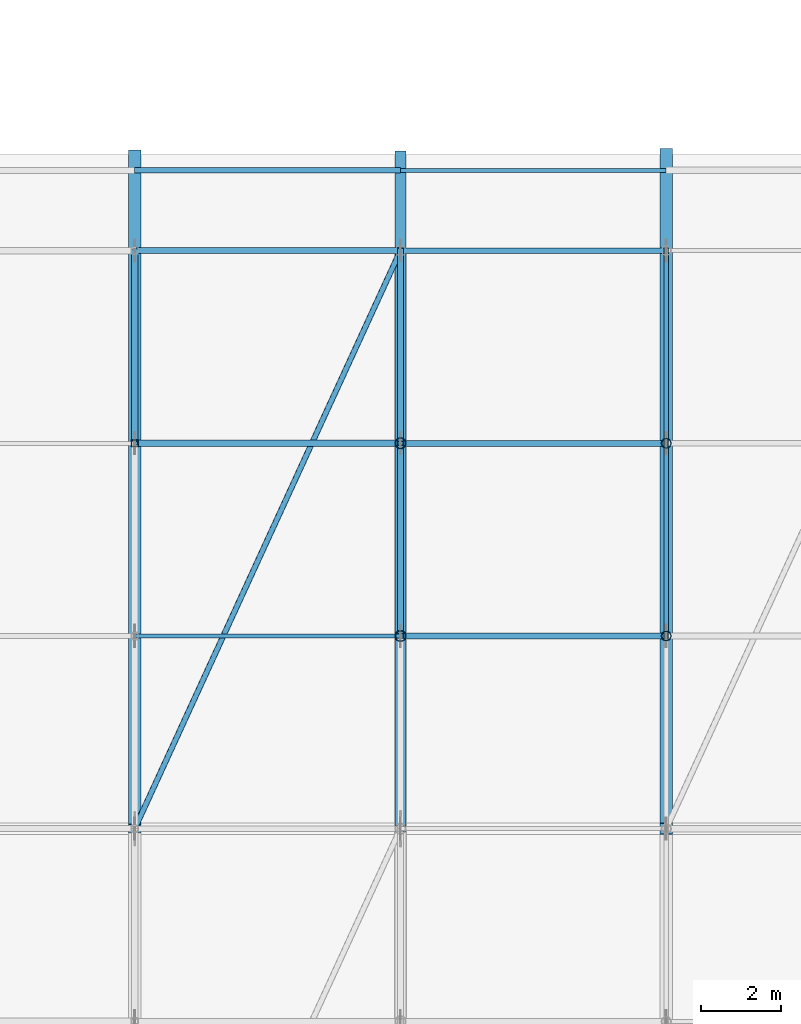
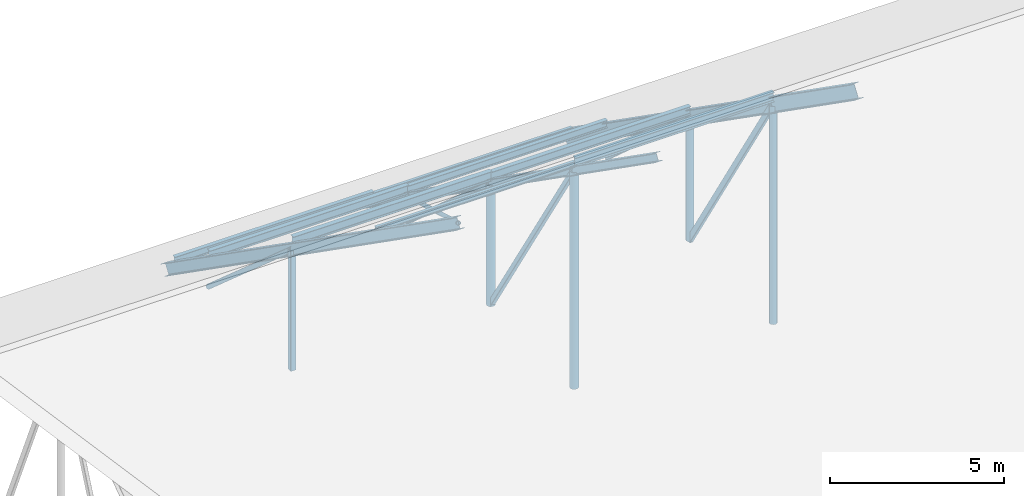
# One storey, part 64 of 134: 22 members.
"""IFC4 building model written with IfcOpenShell, lengths in metres."""

from ifc_helpers import new_model, si_unit, direction, frame, origin, origin_2d, place, context, subcontext, project, spatial, hollow_rectangle, hollow_circle, i_section, extrude, material, material_profile, profile_set, type_object, element, save


model = new_model("IFC4")

# Units and contexts
model_context = context("Model", 3, precision=1e-05, world=origin(), true_north=direction((0.0, 1.0)))
body_context = subcontext(model_context, "Body", "Model", "MODEL_VIEW")
ifc_project = project(units=[si_unit("LENGTHUNIT", "METRE"), si_unit("AREAUNIT", "SQUARE_METRE"), si_unit("VOLUMEUNIT", "CUBIC_METRE"), si_unit("PLANEANGLEUNIT", "RADIAN"), si_unit("MASSUNIT", "GRAM", prefix="KILO")], contexts=[model_context])

# Site, building, storey
site_placement = place(None, origin())
site = spatial("IfcSite", under=ifc_project, at=site_placement, CompositionType="ELEMENT")
building_placement = place(site_placement, origin())
building = spatial("IfcBuilding", under=site, at=building_placement, Name="Asteropetra Specialist Clinic", CompositionType="ELEMENT")
storey_placement = place(building_placement, frame((0.0, 0.0, 8.5)))
storey = spatial("IfcBuildingStorey", under=building, at=storey_placement, Name="L02", CompositionType="ELEMENT", Elevation=8.5)

# Members
ifc_material_1 = material(Name="Steel S355", Category="steel")
ifc_material_profile_1 = material_profile(ifc_material_1, hollow_circle(Radius=0.06982421875, WallThickness=0.008056640625, at=origin_2d()), Name="CHS 139.7x8.0")
ifc_profile_set_1 = profile_set([ifc_material_profile_1], Name="Steel S355")
member_type_1 = type_object("IfcMemberType", Name="TR-BRC-CHS139", PredefinedType="BRACE", material=ifc_profile_set_1)
member_1_placement = place(storey_placement, frame((113.3798828125, 91.199951171875, 11.4609375), z_axis=(0.352109794098, 0.765912818458, -0.53795561845), x_axis=(-0.908585056551, 0.417699886297, 0.0)))
element("IfcMember", 1, at=member_1_placement, inside=storey, type_object=member_type_1, Name="Roof Wind Brace TRV1-RB2-05", PredefinedType="BRACE", context=body_context, shape_type="SweptSolid", body=[
    extrude(hollow_circle(Radius=0.06982421875, WallThickness=0.008056640625, at=origin_2d()), origin(), (0.0, 0.0, 1.0), 18.80126953125),
])
ifc_material_2 = material(Name="Steel S355", Category="steel")
ifc_material_profile_2 = material_profile(ifc_material_2, hollow_circle(Radius=0.084228515625, WallThickness=0.008056640625, at=origin_2d()), Name="CHS 168.3x8.0")
ifc_profile_set_2 = profile_set([ifc_material_profile_2], Name="Steel S355")
member_type_2 = type_object("IfcMemberType", Name="TR-BRC-CHS168", PredefinedType="BRACE", material=ifc_profile_set_2)
member_2_placement = place(storey_placement, frame((113.3798828125, 100.800048828125, 4.718017578125), z_axis=(0.0, 0.750802143462, -0.660527169292), x_axis=(-1.0, 0.0, 0.0)))
element("IfcMember", 2, at=member_2_placement, inside=storey, type_object=member_type_2, Name="Truss Web Diagonal TRV1-D05-5", PredefinedType="BRACE", context=body_context, shape_type="SweptSolid", body=[
    extrude(hollow_circle(Radius=0.084228515625, WallThickness=0.008056640625, at=origin_2d()), origin(), (0.0, 0.0, 1.0), 6.393310546875),
])
ifc_material_3 = material(Name="Steel S355", Category="steel")
ifc_material_profile_3 = material_profile(ifc_material_3, hollow_rectangle(XDim=0.1201171875, YDim=0.199951171875, WallThickness=0.010009765625, InnerFilletRadius=0.008056640625, OuterFilletRadius=0.01611328125, at=origin_2d()), Name="RHS 200x120x10.0")
ifc_profile_set_3 = profile_set([ifc_material_profile_3], Name="Steel S355")
member_type_3 = type_object("IfcMemberType", Name="TR-BRC-RHS200", PredefinedType="BRACE", material=ifc_profile_set_3)
member_3_placement = place(storey_placement, frame((126.6201171875, 96.0, 8.089599609375), z_axis=(0.0, 0.530515462614, -0.847675258532), x_axis=(-1.0, 0.0, 0.0)))
element("IfcMember", 3, at=member_3_placement, inside=storey, type_object=member_type_3, Name="Truss Web Diagonal TRV1-D07-4", PredefinedType="BRACE", context=body_context, shape_type="SweptSolid", body=[
    extrude(hollow_rectangle(XDim=0.1201171875, YDim=0.199951171875, WallThickness=0.010009765625, InnerFilletRadius=0.008056640625, OuterFilletRadius=0.01611328125, at=origin_2d()), origin(), (0.0, 0.0, 1.0), 9.0478515625),
])
member_4_placement = place(storey_placement, frame((126.6201171875, 100.800048828125, 4.718017578125), z_axis=(0.0, 0.744985578282, -0.66708057096), x_axis=(-1.0, 0.0, 0.0)))
element("IfcMember", 4, at=member_4_placement, inside=storey, type_object=member_type_3, Name="Truss Web Diagonal TRV1-D07-5", PredefinedType="BRACE", context=body_context, shape_type="SweptSolid", body=[
    extrude(hollow_rectangle(XDim=0.1201171875, YDim=0.199951171875, WallThickness=0.010009765625, InnerFilletRadius=0.008056640625, OuterFilletRadius=0.01611328125, at=origin_2d()), origin(), (0.0, 0.0, 1.0), 6.443115234375),
])
ifc_material_4 = material(Name="Steel S355", Category="steel")
ifc_material_profile_4 = material_profile(ifc_material_4, hollow_rectangle(XDim=0.159912109375, YDim=0.159912109375, WallThickness=0.008056640625, InnerFilletRadius=0.008056640625, OuterFilletRadius=0.01611328125, at=origin_2d()), Name="SHS 160x160x8.0")
ifc_profile_set_4 = profile_set([ifc_material_profile_4], Name="Steel S355")
member_type_4 = type_object("IfcMemberType", Name="TR-BRC-SHS160", PredefinedType="BRACE", material=ifc_profile_set_4)
member_5_placement = place(storey_placement, frame((120.0, 96.0, 8.089599609375), z_axis=(0.0, 0.533012426562, -0.846107412289), x_axis=(-1.0, 0.0, 0.0)))
element("IfcMember", 5, at=member_5_placement, inside=storey, type_object=member_type_4, Name="Truss Web Diagonal TRV1-D06-4", PredefinedType="BRACE", context=body_context, shape_type="SweptSolid", body=[
    extrude(hollow_rectangle(XDim=0.159912109375, YDim=0.159912109375, WallThickness=0.008056640625, InnerFilletRadius=0.008056640625, OuterFilletRadius=0.01611328125, at=origin_2d()), origin(), (0.0, 0.0, 1.0), 9.005615234375),
])
member_6_placement = place(storey_placement, frame((120.0, 100.800048828125, 4.718017578125), z_axis=(0.0, 0.748853326805, -0.662735765546), x_axis=(-1.0, 0.0, 0.0)))
element("IfcMember", 6, at=member_6_placement, inside=storey, type_object=member_type_4, Name="Truss Web Diagonal TRV1-D06-5", PredefinedType="BRACE", context=body_context, shape_type="SweptSolid", body=[
    extrude(hollow_rectangle(XDim=0.159912109375, YDim=0.159912109375, WallThickness=0.008056640625, InnerFilletRadius=0.008056640625, OuterFilletRadius=0.01611328125, at=origin_2d()), origin(), (0.0, 0.0, 1.0), 6.409912109375),
])
ifc_material_5 = material(Name="Steel S355", Category="steel")
ifc_material_profile_5 = material_profile(ifc_material_5, i_section(OverallWidth=0.300048828125, OverallDepth=0.389892578125, WebThickness=0.010986328125, FlangeThickness=0.01904296875, FilletRadius=0.027099609375, at=origin_2d()), Name="HEA 400")
ifc_profile_set_5 = profile_set([ifc_material_profile_5], Name="Steel S355")
member_type_5 = type_object("IfcMemberType", Name="TR-CHD-HEA400", PredefinedType="CHORD", material=ifc_profile_set_5)
member_7_placement = place(storey_placement, frame((113.3798828125, 91.199951171875, 11.4609375), z_axis=(0.0, 0.818315202226, -0.574769718936), x_axis=(-1.0, 0.0, 0.0)))
element("IfcMember", 7, at=member_7_placement, inside=storey, type_object=member_type_5, Name="Truss North Top Chord TRV1-TCN05", PredefinedType="CHORD", context=body_context, shape_type="SweptSolid", body=[
    extrude(i_section(OverallWidth=0.300048828125, OverallDepth=0.389892578125, WebThickness=0.010986328125, FlangeThickness=0.01904296875, FilletRadius=0.027099609375, at=origin_2d()), origin(), (0.0, 0.0, 1.0), 20.530029296875),
])
ifc_material_6 = material(Name="Steel S355", Category="steel")
ifc_material_profile_6 = material_profile(ifc_material_6, i_section(OverallWidth=0.300048828125, OverallDepth=0.489990234375, WebThickness=0.011962890625, FlangeThickness=0.02294921875, FilletRadius=0.027099609375, at=origin_2d()), Name="HEA 500")
ifc_profile_set_6 = profile_set([ifc_material_profile_6], Name="Steel S355")
member_type_6 = type_object("IfcMemberType", Name="TR-CHD-HEA500", PredefinedType="CHORD", material=ifc_profile_set_6)
member_8_placement = place(storey_placement, frame((126.6201171875, 91.199951171875, 11.4609375), z_axis=(0.0, 0.818315202226, -0.574769718936), x_axis=(-1.0, 0.0, 0.0)))
element("IfcMember", 8, at=member_8_placement, inside=storey, type_object=member_type_6, Name="Truss North Top Chord TRV1-TCN07", PredefinedType="CHORD", context=body_context, shape_type="SweptSolid", body=[
    extrude(i_section(OverallWidth=0.300048828125, OverallDepth=0.489990234375, WebThickness=0.011962890625, FlangeThickness=0.02294921875, FilletRadius=0.027099609375, at=origin_2d()), origin(), (0.0, 0.0, 1.0), 20.530029296875),
])
ifc_material_7 = material(Name="Steel S355", Category="steel")
ifc_material_profile_7 = material_profile(ifc_material_7, i_section(OverallWidth=0.280029296875, OverallDepth=0.280029296875, WebThickness=0.010498046875, FlangeThickness=0.01806640625, FilletRadius=0.02392578125, at=origin_2d()), Name="HEB 280")
ifc_profile_set_7 = profile_set([ifc_material_profile_7], Name="Steel S355")
member_type_7 = type_object("IfcMemberType", Name="TR-CHD-HEB280", PredefinedType="CHORD", material=ifc_profile_set_7)
member_9_placement = place(storey_placement, frame((120.0, 91.199951171875, 11.4609375), z_axis=(0.0, 0.818315202226, -0.574769718936), x_axis=(-1.0, 0.0, 0.0)))
element("IfcMember", 9, at=member_9_placement, inside=storey, type_object=member_type_7, Name="Truss North Top Chord TRV1-TCN06", PredefinedType="CHORD", context=body_context, shape_type="SweptSolid", body=[
    extrude(i_section(OverallWidth=0.280029296875, OverallDepth=0.280029296875, WebThickness=0.010498046875, FlangeThickness=0.01806640625, FilletRadius=0.02392578125, at=origin_2d()), origin(), (0.0, 0.0, 1.0), 20.530029296875),
])
ifc_material_8 = material(Name="Steel S355", Category="steel")
ifc_material_profile_8 = material_profile(ifc_material_8, i_section(OverallWidth=0.10009765625, OverallDepth=0.199951171875, WebThickness=0.005615234375, FlangeThickness=0.008544921875, FilletRadius=0.011962890625, at=origin_2d()), Name="IPE 200")
ifc_profile_set_8 = profile_set([ifc_material_profile_8], Name="Steel S355")
member_type_8 = type_object("IfcMemberType", Name="TR-PUR-IPE200", PredefinedType="PURLIN", material=ifc_profile_set_8)
for number, where, z_axis, x_axis, name in (
    (10, (113.3798828125, 96.0, 8.324462890625), (1.0, 0.0, 0.0), (0.0, 1.0, 0.0), "Roof Purlin TRV1-P05-06"),
    (11, (120.0, 107.60009765625, 0.177001953125), (1.0, 0.0, 0.0), (0.0, 1.0, 0.0), "Roof Purlin TRV1-P06-09"),
):
    element("IfcMember", number, at=place(storey_placement, frame(where, z_axis=z_axis, x_axis=x_axis)), inside=storey, type_object=member_type_8, Name=name, PredefinedType="PURLIN", context=body_context, shape_type="SweptSolid", body=[
        extrude(i_section(OverallWidth=0.10009765625, OverallDepth=0.199951171875, WebThickness=0.005615234375, FlangeThickness=0.008544921875, FilletRadius=0.011962890625, at=origin_2d()), origin(), (0.0, 0.0, 1.0), 6.6201171875),
    ])
ifc_material_9 = material(Name="Steel S355", Category="steel")
ifc_material_profile_9 = material_profile(ifc_material_9, i_section(OverallWidth=0.135009765625, OverallDepth=0.27001953125, WebThickness=0.006591796875, FlangeThickness=0.01025390625, FilletRadius=0.014892578125, at=origin_2d()), Name="IPE 270")
ifc_profile_set_9 = profile_set([ifc_material_profile_9], Name="Steel S355")
member_type_9 = type_object("IfcMemberType", Name="TR-PUR-IPE270", PredefinedType="PURLIN", material=ifc_profile_set_9)
for number, where, z_axis, x_axis, name in (
    (12, (113.3798828125, 107.60009765625, 0.2119140625), (1.0, 0.0, 0.0), (0.0, 1.0, 0.0), "Roof Purlin TRV1-P05-09"),
    (13, (120.0, 105.60009765625, 1.61669921875), (1.0, 0.0, 0.0), (0.0, 1.0, 0.0), "Roof Purlin TRV1-P06-08"),
):
    element("IfcMember", number, at=place(storey_placement, frame(where, z_axis=z_axis, x_axis=x_axis)), inside=storey, type_object=member_type_9, Name=name, PredefinedType="PURLIN", context=body_context, shape_type="SweptSolid", body=[
        extrude(i_section(OverallWidth=0.135009765625, OverallDepth=0.27001953125, WebThickness=0.006591796875, FlangeThickness=0.01025390625, FilletRadius=0.014892578125, at=origin_2d()), origin(), (0.0, 0.0, 1.0), 6.6201171875),
    ])
ifc_material_10 = material(Name="Steel S355", Category="steel")
ifc_material_profile_10 = material_profile(ifc_material_10, i_section(OverallWidth=0.14990234375, OverallDepth=0.300048828125, WebThickness=0.007080078125, FlangeThickness=0.0107421875, FilletRadius=0.014892578125, at=origin_2d()), Name="IPE 300")
ifc_profile_set_10 = profile_set([ifc_material_profile_10], Name="Steel S355")
member_type_10 = type_object("IfcMemberType", Name="TR-PUR-IPE300", PredefinedType="PURLIN", material=ifc_profile_set_10)
for number, where, z_axis, x_axis, name in (
    (14, (113.3798828125, 105.60009765625, 1.631591796875), (1.0, 0.0, 0.0), (0.0, 1.0, 0.0), "Roof Purlin TRV1-P05-08"),
    (15, (120.0, 100.800048828125, 5.003173828125), (1.0, 0.0, 0.0), (0.0, 1.0, 0.0), "Roof Purlin TRV1-P06-07"),
):
    element("IfcMember", number, at=place(storey_placement, frame(where, z_axis=z_axis, x_axis=x_axis)), inside=storey, type_object=member_type_10, Name=name, PredefinedType="PURLIN", context=body_context, shape_type="SweptSolid", body=[
        extrude(i_section(OverallWidth=0.14990234375, OverallDepth=0.300048828125, WebThickness=0.007080078125, FlangeThickness=0.0107421875, FilletRadius=0.014892578125, at=origin_2d()), origin(), (0.0, 0.0, 1.0), 6.6201171875),
    ])
ifc_material_11 = material(Name="Steel S355", Category="steel")
ifc_material_profile_11 = material_profile(ifc_material_11, i_section(OverallWidth=0.159912109375, OverallDepth=0.330078125, WebThickness=0.007568359375, FlangeThickness=0.011474609375, FilletRadius=0.01806640625, at=origin_2d()), Name="IPE 330")
ifc_profile_set_11 = profile_set([ifc_material_profile_11], Name="Steel S355")
member_type_11 = type_object("IfcMemberType", Name="TR-PUR-IPE330", PredefinedType="PURLIN", material=ifc_profile_set_11)
for number, where, z_axis, x_axis, name in (
    (16, (113.3798828125, 100.800048828125, 5.01806640625), (1.0, 0.0, 0.0), (0.0, 1.0, 0.0), "Roof Purlin TRV1-P05-07"),
    (17, (120.0, 96.0, 8.389404296875), (1.0, 0.0, 0.0), (0.0, 1.0, 0.0), "Roof Purlin TRV1-P06-06"),
):
    element("IfcMember", number, at=place(storey_placement, frame(where, z_axis=z_axis, x_axis=x_axis)), inside=storey, type_object=member_type_11, Name=name, PredefinedType="PURLIN", context=body_context, shape_type="SweptSolid", body=[
        extrude(i_section(OverallWidth=0.159912109375, OverallDepth=0.330078125, WebThickness=0.007568359375, FlangeThickness=0.011474609375, FilletRadius=0.01806640625, at=origin_2d()), origin(), (0.0, 0.0, 1.0), 6.6201171875),
    ])
ifc_material_12 = material(Name="Steel S355", Category="steel")
ifc_material_profile_12 = material_profile(ifc_material_12, hollow_circle(Radius=0.122314453125, WallThickness=0.012451171875, at=origin_2d()), Name="CHS 244.5x12.5")
ifc_profile_set_12 = profile_set([ifc_material_profile_12], Name="Steel S355")
member_type_12 = type_object("IfcMemberType", Name="TR-STR-CHS244", PredefinedType="STRUT", material=ifc_profile_set_12)
member_10_placement = place(storey_placement, frame((126.6201171875, 96.0, 0.419921875), z_axis=(0.0, 0.0, 1.0), x_axis=(1.0, 0.0, 0.0)))
element("IfcMember", 18, at=member_10_placement, inside=storey, type_object=member_type_12, Name="Truss Web Strut TRV1-V07-4", PredefinedType="STRUT", context=body_context, shape_type="SweptSolid", body=[
    extrude(hollow_circle(Radius=0.122314453125, WallThickness=0.012451171875, at=origin_2d()), origin(), (0.0, 0.0, 1.0), 7.669677734375),
])
member_11_placement = place(storey_placement, frame((126.6201171875, 100.800048828125, 0.419921875), z_axis=(0.0, 0.0, 1.0), x_axis=(1.0, 0.0, 0.0)))
element("IfcMember", 19, at=member_11_placement, inside=storey, type_object=member_type_12, Name="Truss Web Strut TRV1-V07-5", PredefinedType="STRUT", context=body_context, shape_type="SweptSolid", body=[
    extrude(hollow_circle(Radius=0.122314453125, WallThickness=0.012451171875, at=origin_2d()), origin(), (0.0, 0.0, 1.0), 4.298095703125),
])
ifc_material_13 = material(Name="Steel S355", Category="steel")
ifc_material_profile_13 = material_profile(ifc_material_13, hollow_circle(Radius=0.136474609375, WallThickness=0.012451171875, at=origin_2d()), Name="CHS 273.0x12.5")
ifc_profile_set_13 = profile_set([ifc_material_profile_13], Name="Steel S355")
member_type_13 = type_object("IfcMemberType", Name="TR-STR-CHS273", PredefinedType="STRUT", material=ifc_profile_set_13)
member_12_placement = place(storey_placement, frame((120.0, 96.0, 0.469970703125), z_axis=(0.0, 0.0, 1.0), x_axis=(1.0, 0.0, 0.0)))
element("IfcMember", 20, at=member_12_placement, inside=storey, type_object=member_type_13, Name="Truss Web Strut TRV1-V06-4", PredefinedType="STRUT", context=body_context, shape_type="SweptSolid", body=[
    extrude(hollow_circle(Radius=0.136474609375, WallThickness=0.012451171875, at=origin_2d()), origin(), (0.0, 0.0, 1.0), 7.61962890625),
])
member_13_placement = place(storey_placement, frame((120.0, 100.800048828125, 0.469970703125), z_axis=(0.0, 0.0, 1.0), x_axis=(1.0, 0.0, 0.0)))
element("IfcMember", 21, at=member_13_placement, inside=storey, type_object=member_type_13, Name="Truss Web Strut TRV1-V06-5", PredefinedType="STRUT", context=body_context, shape_type="SweptSolid", body=[
    extrude(hollow_circle(Radius=0.136474609375, WallThickness=0.012451171875, at=origin_2d()), origin(), (0.0, 0.0, 1.0), 4.248046875),
])
ifc_material_14 = material(Name="Steel S355", Category="steel")
ifc_material_profile_14 = material_profile(ifc_material_14, hollow_rectangle(XDim=0.179931640625, YDim=0.179931640625, WallThickness=0.010009765625, InnerFilletRadius=0.008056640625, OuterFilletRadius=0.01611328125, at=origin_2d()), Name="SHS 180x180x10.0")
ifc_profile_set_14 = profile_set([ifc_material_profile_14], Name="Steel S355")
member_type_14 = type_object("IfcMemberType", Name="TR-STR-SHS180", PredefinedType="STRUT", material=ifc_profile_set_14)
member_14_placement = place(storey_placement, frame((113.3798828125, 100.800048828125, 0.4951171875), z_axis=(0.0, 0.0, 1.0), x_axis=(1.0, 0.0, 0.0)))
element("IfcMember", 22, at=member_14_placement, inside=storey, type_object=member_type_14, Name="Truss Web Strut TRV1-V05-5", PredefinedType="STRUT", context=body_context, shape_type="SweptSolid", body=[
    extrude(hollow_rectangle(XDim=0.179931640625, YDim=0.179931640625, WallThickness=0.010009765625, InnerFilletRadius=0.008056640625, OuterFilletRadius=0.01611328125, at=origin_2d()), origin(), (0.0, 0.0, 1.0), 4.222900390625),
])

save(model, "model.ifc")
